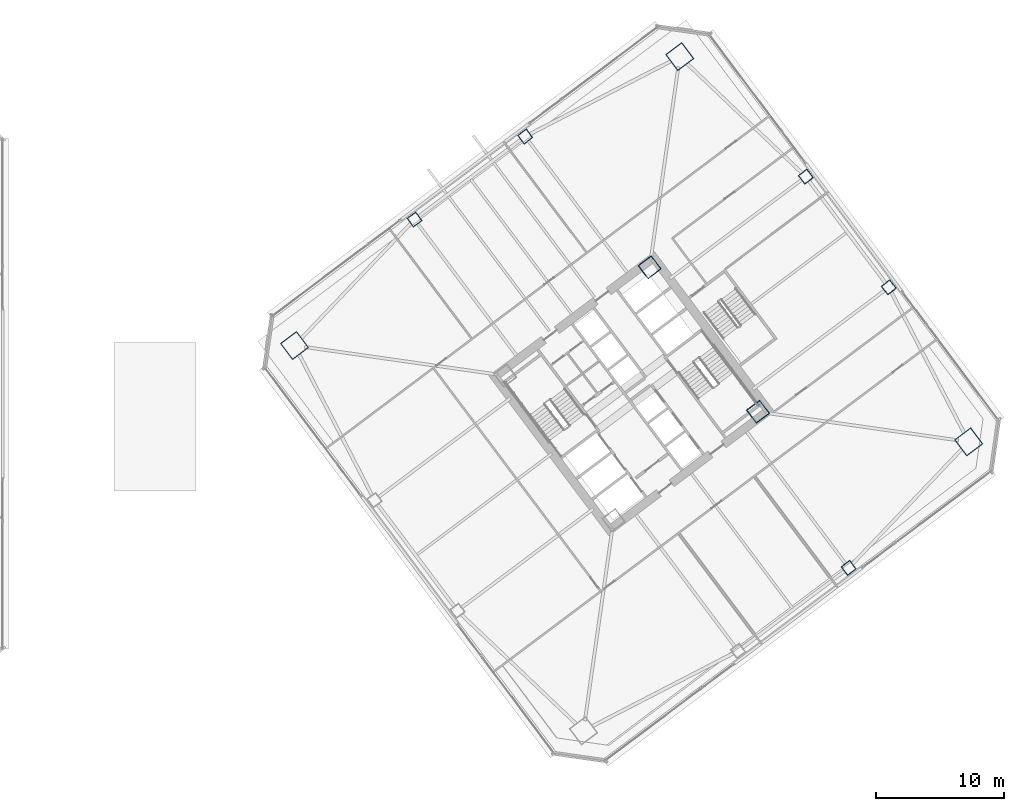
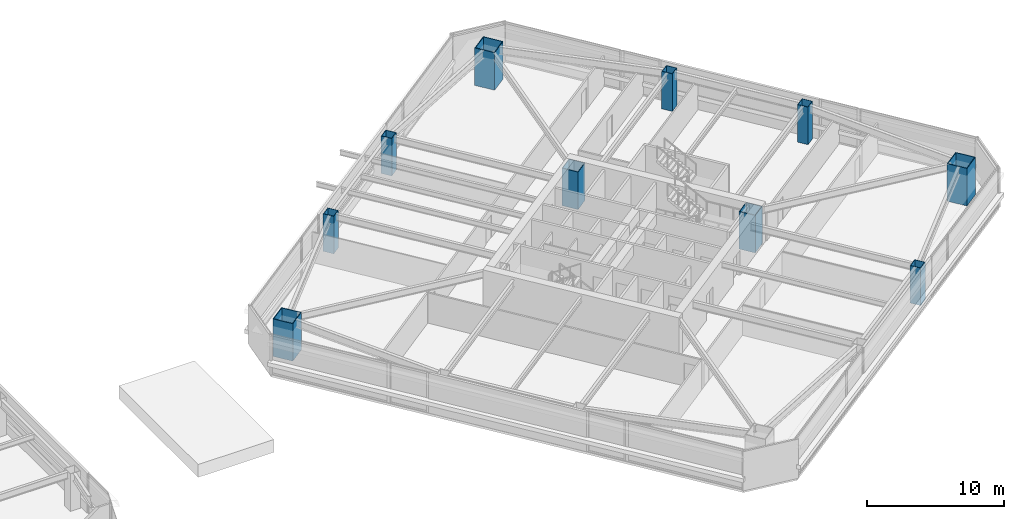
# One storey, part 2 of 46: 10 columns.
"""IFC4 building model written with IfcOpenShell, lengths in metres."""

from ifc_helpers import new_model, si_unit, direction, frame, origin, origin_2d, place, context, subcontext, project, spatial, hollow_rectangle, extrude, material, material_profile, profile_set, type_object, element, save


model = new_model("IFC4")

# Units and contexts
model_context = context("Model", 3, precision=1e-05, world=origin(), true_north=direction((0.0, 1.0)))
body_context = subcontext(model_context, "Body", "Model", "MODEL_VIEW")
ifc_project = project(units=[si_unit("LENGTHUNIT", "METRE"), si_unit("AREAUNIT", "SQUARE_METRE"), si_unit("VOLUMEUNIT", "CUBIC_METRE"), si_unit("PLANEANGLEUNIT", "RADIAN"), si_unit("MASSUNIT", "GRAM", prefix="KILO")], contexts=[model_context])

# Site, building, storey
site_placement = place(None, origin())
site = spatial("IfcSite", under=ifc_project, at=site_placement, CompositionType="ELEMENT")
building_placement = place(site_placement, origin())
building = spatial("IfcBuilding", under=site, at=building_placement, Name="Tashvorn Skyway Center", CompositionType="ELEMENT")
storey_placement = place(building_placement, frame((0.0, 0.0, 31.699951171875)))
storey = spatial("IfcBuildingStorey", under=building, at=storey_placement, Name="L07", CompositionType="ELEMENT", Elevation=31.699951171875)

# Columns
ifc_material = material(Name="Steel ASTM A572 Grade 50", Category="steel")
ifc_material_profile_1 = material_profile(ifc_material, hollow_rectangle(XDim=1.300048828125, YDim=1.300048828125, WallThickness=0.050048828125, at=origin_2d()), Name="BOX1300x1300x50")
ifc_profile_set_1 = profile_set([ifc_material_profile_1], Name="Steel ASTM A572 Grade 50")
column_type_1 = type_object("IfcColumnType", Name="COL-BOX1300x1300x50", PredefinedType="COLUMN", material=ifc_profile_set_1)
for number, where, z_axis, x_axis, name in (
    (1, (123.8701171875, 30.590087890625, 0.0), (0.0, 0.0, 1.0), (0.799999996291, 0.600000004945, 0.0), "Tower 2 L07 Core Corner Column CC-SE"),
    (2, (115.409912109375, 41.8701171875, 0.0), (0.0, 0.0, 1.0), (0.799999996291, 0.600000004945, 0.0), "Tower 2 L07 Core Corner Column CC-NE"),
):
    element("IfcColumn", number, at=place(storey_placement, frame(where, z_axis=z_axis, x_axis=x_axis)), inside=storey, type_object=column_type_1, Name=name, PredefinedType="COLUMN", context=body_context, shape_type="SweptSolid", body=[
        extrude(hollow_rectangle(XDim=1.300048828125, YDim=1.300048828125, WallThickness=0.050048828125, at=origin_2d()), origin(), (0.0, 0.0, 1.0), 3.35009765625),
    ])
ifc_material_profile_2 = material_profile(ifc_material, hollow_rectangle(XDim=1.60009765625, YDim=1.60009765625, WallThickness=0.06005859375, at=origin_2d()), Name="BOX1600x1600x60")
ifc_profile_set_2 = profile_set([ifc_material_profile_2], Name="Steel ASTM A572 Grade 50")
column_type_2 = type_object("IfcColumnType", Name="COL-BOX1600x1600x60", PredefinedType="COLUMN", material=ifc_profile_set_2)
for number, where, z_axis, x_axis, name in (
    (3, (140.320068359375, 28.239990234375, 0.0), (0.0, 0.0, 1.0), (0.799999996291, 0.600000004945, 0.0), "Tower 2 L07 Mega-Column MC-SE"),
    (4, (117.760009765625, 58.320068359375, 0.0), (0.0, 0.0, 1.0), (0.799999996291, 0.600000004945, 0.0), "Tower 2 L07 Mega-Column MC-NE"),
    (5, (87.679931640625, 35.760009765625, 0.0), (0.0, 0.0, 1.0), (0.799999996291, 0.600000004945, 0.0), "Tower 2 L07 Mega-Column MC-NW"),
):
    element("IfcColumn", number, at=place(storey_placement, frame(where, z_axis=z_axis, x_axis=x_axis)), inside=storey, type_object=column_type_2, Name=name, PredefinedType="COLUMN", context=body_context, shape_type="SweptSolid", body=[
        extrude(hollow_rectangle(XDim=1.60009765625, YDim=1.60009765625, WallThickness=0.06005859375, at=origin_2d()), origin(), (0.0, 0.0, 1.0), 3.35009765625),
    ])
ifc_material_profile_3 = material_profile(ifc_material, hollow_rectangle(XDim=0.85009765625, YDim=0.85009765625, WallThickness=0.034912109375, at=origin_2d()), Name="BOX850x850x35")
ifc_profile_set_3 = profile_set([ifc_material_profile_3], Name="Steel ASTM A572 Grade 50")
column_type_3 = type_object("IfcColumnType", Name="COL-BOX850x850x35", PredefinedType="COLUMN", material=ifc_profile_set_3)
for number, where, z_axis, x_axis, name in (
    (6, (130.949951171875, 18.39990234375, 0.0), (0.0, 0.0, 1.0), (0.799999996291, 0.600000004945, 0.0), "Tower 2 L07 Perimeter Column FC-S2"),
    (7, (134.080078125, 40.31005859375, 0.0), (0.0, 0.0, 1.0), (0.799999996291, 0.600000004945, 0.0), "Tower 2 L07 Perimeter Column FC-E1"),
    (8, (127.60009765625, 48.949951171875, 0.0), (0.0, 0.0, 1.0), (0.799999996291, 0.600000004945, 0.0), "Tower 2 L07 Perimeter Column FC-E2"),
    (9, (105.68994140625, 52.080078125, 0.0), (0.0, 0.0, 1.0), (0.799999996291, 0.600000004945, 0.0), "Tower 2 L07 Perimeter Column FC-N1"),
    (10, (97.050048828125, 45.60009765625, 0.0), (0.0, 0.0, 1.0), (0.799999996291, 0.600000004945, 0.0), "Tower 2 L07 Perimeter Column FC-N2"),
):
    element("IfcColumn", number, at=place(storey_placement, frame(where, z_axis=z_axis, x_axis=x_axis)), inside=storey, type_object=column_type_3, Name=name, PredefinedType="COLUMN", context=body_context, shape_type="SweptSolid", body=[
        extrude(hollow_rectangle(XDim=0.85009765625, YDim=0.85009765625, WallThickness=0.034912109375, at=origin_2d()), origin(), (0.0, 0.0, 1.0), 3.35009765625),
    ])

save(model, "model.ifc")
